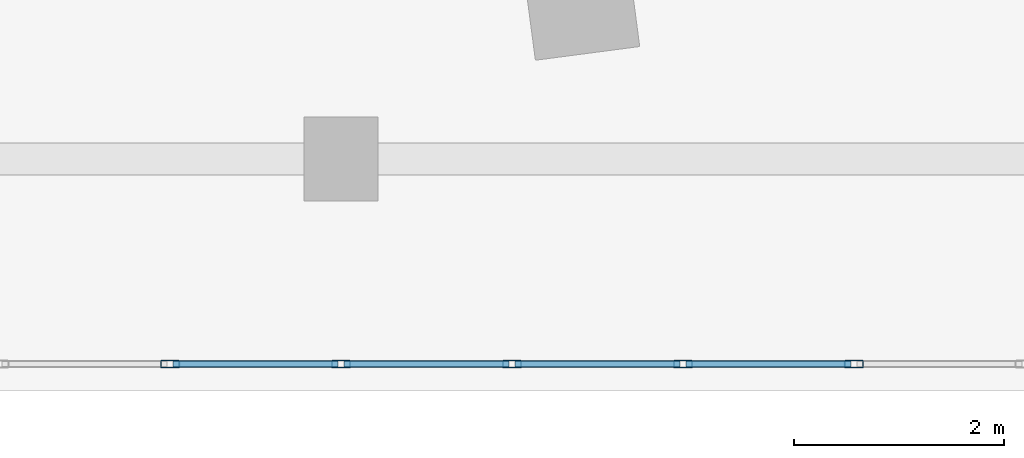
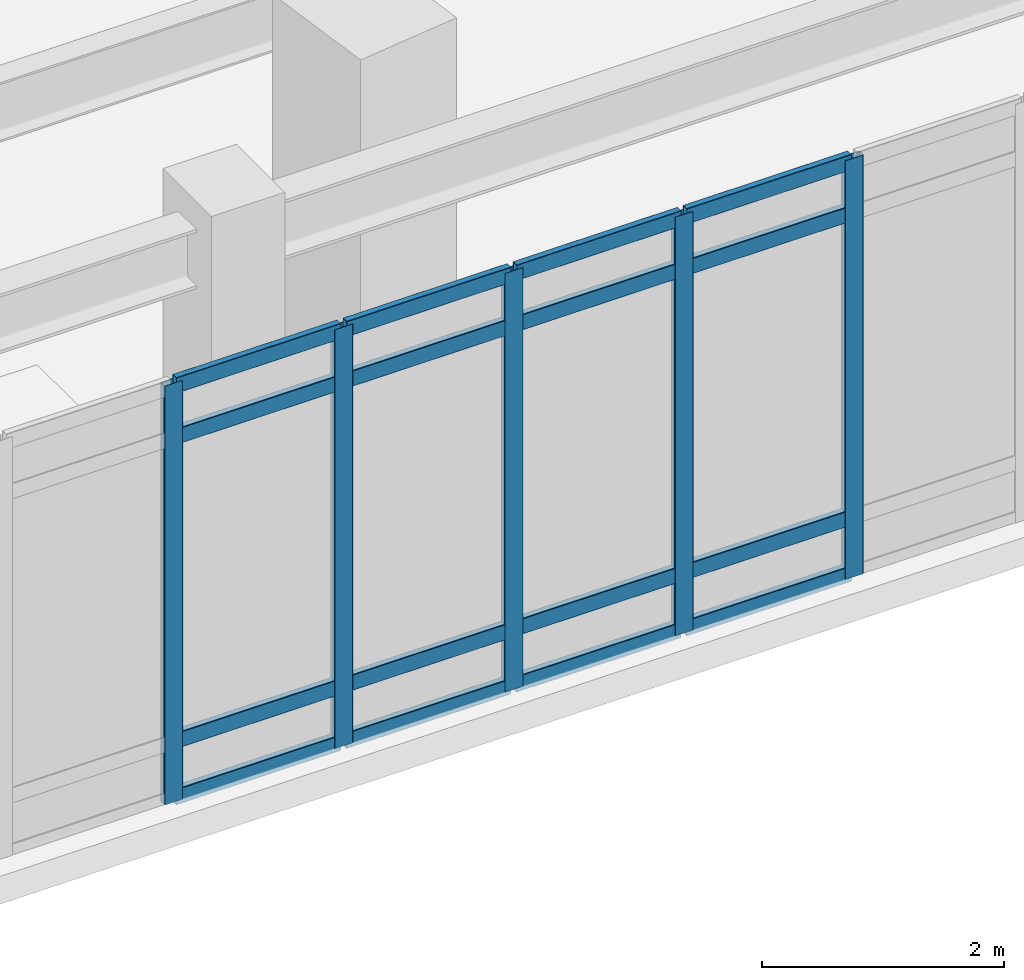
# One storey, part 4 of 19: 21 members, 1 element without a shape of its own.
"""IFC4 building model written with IfcOpenShell, lengths in metres."""

from ifc_helpers import new_model, si_unit, direction, frame, origin, origin_2d, place, context, subcontext, project, spatial, hollow_rectangle, extrude, material, layer, layer_set, material_profile, profile_set, type_object, element, aggregate, save


model = new_model("IFC4")

# Units and contexts
model_context = context("Model", 3, precision=1e-05, world=origin(), true_north=direction((0.0, 1.0)))
body_context = subcontext(model_context, "Body", "Model", "MODEL_VIEW")
ifc_project = project(units=[si_unit("LENGTHUNIT", "METRE"), si_unit("AREAUNIT", "SQUARE_METRE"), si_unit("VOLUMEUNIT", "CUBIC_METRE"), si_unit("PLANEANGLEUNIT", "RADIAN"), si_unit("MASSUNIT", "GRAM", prefix="KILO")], contexts=[model_context])

# Site, building, storey
site_placement = place(None, origin())
site = spatial("IfcSite", under=ifc_project, at=site_placement, CompositionType="ELEMENT")
building_placement = place(site_placement, origin())
building = spatial("IfcBuilding", under=site, at=building_placement, Name="Ndelora Gate Hotel", CompositionType="ELEMENT")
storey_placement = place(building_placement, frame((0.0, 0.0, 21.5)))
storey = spatial("IfcBuildingStorey", under=building, at=storey_placement, Name="L04", CompositionType="ELEMENT", Elevation=21.5)

# Curtain wall, members
ifc_material_1 = material(Name="Bronze Anodised Unitised Aluminium and Low-E Glass", Category="aluminium")
ifc_layer = layer(ifc_material_1, 0.219970703125)
ifc_layer_set = layer_set([ifc_layer], Name="Bronze Anodised Unitised Aluminium and Low-E Glass")
curtain_wall_type = type_object("IfcCurtainWallType", Name="CW-SYS-2", PredefinedType="NOTDEFINED", material=ifc_layer_set)
curtain_wall_placement = place(storey_placement, origin())
curtain_wall = element("IfcCurtainWall", 1, at=curtain_wall_placement, inside=storey, type_object=curtain_wall_type, Name="L04 South Podium Foyer Curtain Wall CW2", PredefinedType="NOTDEFINED")
ifc_material_2 = material(Name="Bronze Anodised Aluminium 6063-T6", Category="aluminium")
ifc_material_profile_1 = material_profile(ifc_material_2, hollow_rectangle(XDim=0.070068359375, YDim=0.179931640625, WallThickness=0.0048828125, InnerFilletRadius=0.0048828125, OuterFilletRadius=0.010009765625, at=origin_2d()), Name="ALU 180x70x5")
ifc_profile_set_1 = profile_set([ifc_material_profile_1], Name="Bronze Anodised Aluminium 6063-T6")
member_type_1 = type_object("IfcMemberType", Name="MB-CW-MUL180", PredefinedType="MULLION", material=ifc_profile_set_1)
member_1_placement = place(storey_placement, frame((-1.625, -20.75, -0.00390625), z_axis=(0.0, 0.0, 1.0), x_axis=(0.0, 1.0, 0.0)))
member_1 = element("IfcMember", 2, at=member_1_placement, type_object=member_type_1, Name="CW2 mullion 6", PredefinedType="MULLION", context=body_context, shape_type="SweptSolid", body=[
    extrude(hollow_rectangle(XDim=0.070068359375, YDim=0.179931640625, WallThickness=0.0048828125, InnerFilletRadius=0.0048828125, OuterFilletRadius=0.010009765625, at=origin_2d()), origin(), (0.0, 0.0, 1.0), 4.22802734375),
])
member_2_placement = place(storey_placement, frame((0.0, -20.75, -0.00390625), z_axis=(0.0, 0.0, 1.0), x_axis=(0.0, 1.0, 0.0)))
member_2 = element("IfcMember", 3, at=member_2_placement, type_object=member_type_1, Name="CW2 mullion 7", PredefinedType="MULLION", context=body_context, shape_type="SweptSolid", body=[
    extrude(hollow_rectangle(XDim=0.070068359375, YDim=0.179931640625, WallThickness=0.0048828125, InnerFilletRadius=0.0048828125, OuterFilletRadius=0.010009765625, at=origin_2d()), origin(), (0.0, 0.0, 1.0), 4.22802734375),
])
member_3_placement = place(storey_placement, frame((1.625, -20.75, -0.00390625), z_axis=(0.0, 0.0, 1.0), x_axis=(0.0, 1.0, 0.0)))
member_3 = element("IfcMember", 4, at=member_3_placement, type_object=member_type_1, Name="CW2 mullion 8", PredefinedType="MULLION", context=body_context, shape_type="SweptSolid", body=[
    extrude(hollow_rectangle(XDim=0.070068359375, YDim=0.179931640625, WallThickness=0.0048828125, InnerFilletRadius=0.0048828125, OuterFilletRadius=0.010009765625, at=origin_2d()), origin(), (0.0, 0.0, 1.0), 4.22802734375),
])
member_4_placement = place(storey_placement, frame((3.25, -20.75, -0.00390625), z_axis=(0.0, 0.0, 1.0), x_axis=(0.0, 1.0, 0.0)))
member_4 = element("IfcMember", 5, at=member_4_placement, type_object=member_type_1, Name="CW2 mullion 9", PredefinedType="MULLION", context=body_context, shape_type="SweptSolid", body=[
    extrude(hollow_rectangle(XDim=0.070068359375, YDim=0.179931640625, WallThickness=0.0048828125, InnerFilletRadius=0.0048828125, OuterFilletRadius=0.010009765625, at=origin_2d()), origin(), (0.0, 0.0, 1.0), 4.22802734375),
])
member_5_placement = place(storey_placement, frame((4.875, -20.75, -0.00390625), z_axis=(0.0, 0.0, 1.0), x_axis=(0.0, 1.0, 0.0)))
member_5 = element("IfcMember", 6, at=member_5_placement, type_object=member_type_1, Name="CW2 mullion 10", PredefinedType="MULLION", context=body_context, shape_type="SweptSolid", body=[
    extrude(hollow_rectangle(XDim=0.070068359375, YDim=0.179931640625, WallThickness=0.0048828125, InnerFilletRadius=0.0048828125, OuterFilletRadius=0.010009765625, at=origin_2d()), origin(), (0.0, 0.0, 1.0), 4.22802734375),
])
ifc_material_profile_2 = material_profile(ifc_material_2, hollow_rectangle(XDim=0.06494140625, YDim=0.159912109375, WallThickness=0.00390625, InnerFilletRadius=0.00390625, OuterFilletRadius=0.008056640625, at=origin_2d()), Name="ALU 160x65x4")
ifc_profile_set_2 = profile_set([ifc_material_profile_2], Name="Bronze Anodised Aluminium 6063-T6")
member_type_2 = type_object("IfcMemberType", Name="MB-CW-TRN150", PredefinedType="USERDEFINED", material=ifc_profile_set_2)
member_6_placement = place(storey_placement, frame((-1.595947265625, -20.75, 0.032470703125), z_axis=(1.0, 0.0, 0.0), x_axis=(0.0, 1.0, 0.0)))
member_6 = element("IfcMember", 7, at=member_6_placement, type_object=member_type_2, Name="CW2 transom 6.1", ObjectType="TRANSOM", PredefinedType="USERDEFINED", context=body_context, shape_type="SweptSolid", body=[
    extrude(hollow_rectangle(XDim=0.06494140625, YDim=0.159912109375, WallThickness=0.00390625, InnerFilletRadius=0.00390625, OuterFilletRadius=0.008056640625, at=origin_2d()), origin(), (0.0, 0.0, 1.0), 1.56689453125),
])
member_7_placement = place(storey_placement, frame((-1.595947265625, -20.75, 0.60009765625), z_axis=(1.0, 0.0, 0.0), x_axis=(0.0, 1.0, 0.0)))
member_7 = element("IfcMember", 8, at=member_7_placement, type_object=member_type_2, Name="CW2 transom 6.2", ObjectType="TRANSOM", PredefinedType="USERDEFINED", context=body_context, shape_type="SweptSolid", body=[
    extrude(hollow_rectangle(XDim=0.06494140625, YDim=0.159912109375, WallThickness=0.00390625, InnerFilletRadius=0.00390625, OuterFilletRadius=0.008056640625, at=origin_2d()), origin(), (0.0, 0.0, 1.0), 1.56689453125),
])
member_8_placement = place(storey_placement, frame((-1.595947265625, -20.75, 3.669921875), z_axis=(1.0, 0.0, 0.0), x_axis=(0.0, 1.0, 0.0)))
member_8 = element("IfcMember", 9, at=member_8_placement, type_object=member_type_2, Name="CW2 transom 6.3", ObjectType="TRANSOM", PredefinedType="USERDEFINED", context=body_context, shape_type="SweptSolid", body=[
    extrude(hollow_rectangle(XDim=0.06494140625, YDim=0.159912109375, WallThickness=0.00390625, InnerFilletRadius=0.00390625, OuterFilletRadius=0.008056640625, at=origin_2d()), origin(), (0.0, 0.0, 1.0), 1.56689453125),
])
member_9_placement = place(storey_placement, frame((-1.595947265625, -20.75, 4.1875), z_axis=(1.0, 0.0, 0.0), x_axis=(0.0, 1.0, 0.0)))
member_9 = element("IfcMember", 10, at=member_9_placement, type_object=member_type_2, Name="CW2 transom 6.4", ObjectType="TRANSOM", PredefinedType="USERDEFINED", context=body_context, shape_type="SweptSolid", body=[
    extrude(hollow_rectangle(XDim=0.06494140625, YDim=0.159912109375, WallThickness=0.00390625, InnerFilletRadius=0.00390625, OuterFilletRadius=0.008056640625, at=origin_2d()), origin(), (0.0, 0.0, 1.0), 1.56689453125),
])
member_10_placement = place(storey_placement, frame((0.029052734375, -20.75, 0.032470703125), z_axis=(1.0, 0.0, 0.0), x_axis=(0.0, 1.0, 0.0)))
member_10 = element("IfcMember", 11, at=member_10_placement, type_object=member_type_2, Name="CW2 transom 7.1", ObjectType="TRANSOM", PredefinedType="USERDEFINED", context=body_context, shape_type="SweptSolid", body=[
    extrude(hollow_rectangle(XDim=0.06494140625, YDim=0.159912109375, WallThickness=0.00390625, InnerFilletRadius=0.00390625, OuterFilletRadius=0.008056640625, at=origin_2d()), origin(), (0.0, 0.0, 1.0), 1.56689453125),
])
member_11_placement = place(storey_placement, frame((0.029052734375, -20.75, 0.60009765625), z_axis=(1.0, 0.0, 0.0), x_axis=(0.0, 1.0, 0.0)))
member_11 = element("IfcMember", 12, at=member_11_placement, type_object=member_type_2, Name="CW2 transom 7.2", ObjectType="TRANSOM", PredefinedType="USERDEFINED", context=body_context, shape_type="SweptSolid", body=[
    extrude(hollow_rectangle(XDim=0.06494140625, YDim=0.159912109375, WallThickness=0.00390625, InnerFilletRadius=0.00390625, OuterFilletRadius=0.008056640625, at=origin_2d()), origin(), (0.0, 0.0, 1.0), 1.56689453125),
])
member_12_placement = place(storey_placement, frame((0.029052734375, -20.75, 3.669921875), z_axis=(1.0, 0.0, 0.0), x_axis=(0.0, 1.0, 0.0)))
member_12 = element("IfcMember", 13, at=member_12_placement, type_object=member_type_2, Name="CW2 transom 7.3", ObjectType="TRANSOM", PredefinedType="USERDEFINED", context=body_context, shape_type="SweptSolid", body=[
    extrude(hollow_rectangle(XDim=0.06494140625, YDim=0.159912109375, WallThickness=0.00390625, InnerFilletRadius=0.00390625, OuterFilletRadius=0.008056640625, at=origin_2d()), origin(), (0.0, 0.0, 1.0), 1.56689453125),
])
member_13_placement = place(storey_placement, frame((0.029052734375, -20.75, 4.1875), z_axis=(1.0, 0.0, 0.0), x_axis=(0.0, 1.0, 0.0)))
member_13 = element("IfcMember", 14, at=member_13_placement, type_object=member_type_2, Name="CW2 transom 7.4", ObjectType="TRANSOM", PredefinedType="USERDEFINED", context=body_context, shape_type="SweptSolid", body=[
    extrude(hollow_rectangle(XDim=0.06494140625, YDim=0.159912109375, WallThickness=0.00390625, InnerFilletRadius=0.00390625, OuterFilletRadius=0.008056640625, at=origin_2d()), origin(), (0.0, 0.0, 1.0), 1.56689453125),
])
member_14_placement = place(storey_placement, frame((1.654052734375, -20.75, 0.032470703125), z_axis=(1.0, 0.0, 0.0), x_axis=(0.0, 1.0, 0.0)))
member_14 = element("IfcMember", 15, at=member_14_placement, type_object=member_type_2, Name="CW2 transom 8.1", ObjectType="TRANSOM", PredefinedType="USERDEFINED", context=body_context, shape_type="SweptSolid", body=[
    extrude(hollow_rectangle(XDim=0.06494140625, YDim=0.159912109375, WallThickness=0.00390625, InnerFilletRadius=0.00390625, OuterFilletRadius=0.008056640625, at=origin_2d()), origin(), (0.0, 0.0, 1.0), 1.56689453125),
])
member_15_placement = place(storey_placement, frame((1.654052734375, -20.75, 0.60009765625), z_axis=(1.0, 0.0, 0.0), x_axis=(0.0, 1.0, 0.0)))
member_15 = element("IfcMember", 16, at=member_15_placement, type_object=member_type_2, Name="CW2 transom 8.2", ObjectType="TRANSOM", PredefinedType="USERDEFINED", context=body_context, shape_type="SweptSolid", body=[
    extrude(hollow_rectangle(XDim=0.06494140625, YDim=0.159912109375, WallThickness=0.00390625, InnerFilletRadius=0.00390625, OuterFilletRadius=0.008056640625, at=origin_2d()), origin(), (0.0, 0.0, 1.0), 1.56689453125),
])
member_16_placement = place(storey_placement, frame((1.654052734375, -20.75, 3.669921875), z_axis=(1.0, 0.0, 0.0), x_axis=(0.0, 1.0, 0.0)))
member_16 = element("IfcMember", 17, at=member_16_placement, type_object=member_type_2, Name="CW2 transom 8.3", ObjectType="TRANSOM", PredefinedType="USERDEFINED", context=body_context, shape_type="SweptSolid", body=[
    extrude(hollow_rectangle(XDim=0.06494140625, YDim=0.159912109375, WallThickness=0.00390625, InnerFilletRadius=0.00390625, OuterFilletRadius=0.008056640625, at=origin_2d()), origin(), (0.0, 0.0, 1.0), 1.56689453125),
])
member_17_placement = place(storey_placement, frame((1.654052734375, -20.75, 4.1875), z_axis=(1.0, 0.0, 0.0), x_axis=(0.0, 1.0, 0.0)))
member_17 = element("IfcMember", 18, at=member_17_placement, type_object=member_type_2, Name="CW2 transom 8.4", ObjectType="TRANSOM", PredefinedType="USERDEFINED", context=body_context, shape_type="SweptSolid", body=[
    extrude(hollow_rectangle(XDim=0.06494140625, YDim=0.159912109375, WallThickness=0.00390625, InnerFilletRadius=0.00390625, OuterFilletRadius=0.008056640625, at=origin_2d()), origin(), (0.0, 0.0, 1.0), 1.56689453125),
])
member_18_placement = place(storey_placement, frame((3.279052734375, -20.75, 0.032470703125), z_axis=(1.0, 0.0, 0.0), x_axis=(0.0, 1.0, 0.0)))
member_18 = element("IfcMember", 19, at=member_18_placement, type_object=member_type_2, Name="CW2 transom 9.1", ObjectType="TRANSOM", PredefinedType="USERDEFINED", context=body_context, shape_type="SweptSolid", body=[
    extrude(hollow_rectangle(XDim=0.06494140625, YDim=0.159912109375, WallThickness=0.00390625, InnerFilletRadius=0.00390625, OuterFilletRadius=0.008056640625, at=origin_2d()), origin(), (0.0, 0.0, 1.0), 1.56689453125),
])
member_19_placement = place(storey_placement, frame((3.279052734375, -20.75, 0.60009765625), z_axis=(1.0, 0.0, 0.0), x_axis=(0.0, 1.0, 0.0)))
member_19 = element("IfcMember", 20, at=member_19_placement, type_object=member_type_2, Name="CW2 transom 9.2", ObjectType="TRANSOM", PredefinedType="USERDEFINED", context=body_context, shape_type="SweptSolid", body=[
    extrude(hollow_rectangle(XDim=0.06494140625, YDim=0.159912109375, WallThickness=0.00390625, InnerFilletRadius=0.00390625, OuterFilletRadius=0.008056640625, at=origin_2d()), origin(), (0.0, 0.0, 1.0), 1.56689453125),
])
member_20_placement = place(storey_placement, frame((3.279052734375, -20.75, 3.669921875), z_axis=(1.0, 0.0, 0.0), x_axis=(0.0, 1.0, 0.0)))
member_20 = element("IfcMember", 21, at=member_20_placement, type_object=member_type_2, Name="CW2 transom 9.3", ObjectType="TRANSOM", PredefinedType="USERDEFINED", context=body_context, shape_type="SweptSolid", body=[
    extrude(hollow_rectangle(XDim=0.06494140625, YDim=0.159912109375, WallThickness=0.00390625, InnerFilletRadius=0.00390625, OuterFilletRadius=0.008056640625, at=origin_2d()), origin(), (0.0, 0.0, 1.0), 1.56689453125),
])
member_21_placement = place(storey_placement, frame((3.279052734375, -20.75, 4.1875), z_axis=(1.0, 0.0, 0.0), x_axis=(0.0, 1.0, 0.0)))
member_21 = element("IfcMember", 22, at=member_21_placement, type_object=member_type_2, Name="CW2 transom 9.4", ObjectType="TRANSOM", PredefinedType="USERDEFINED", context=body_context, shape_type="SweptSolid", body=[
    extrude(hollow_rectangle(XDim=0.06494140625, YDim=0.159912109375, WallThickness=0.00390625, InnerFilletRadius=0.00390625, OuterFilletRadius=0.008056640625, at=origin_2d()), origin(), (0.0, 0.0, 1.0), 1.56689453125),
])
aggregate(curtain_wall, [member_1, member_2, member_3, member_4, member_5, member_6, member_7, member_8, member_9, member_10, member_11, member_12, member_13, member_14, member_15, member_16, member_17, member_18, member_19, member_20, member_21])

save(model, "model.ifc")
